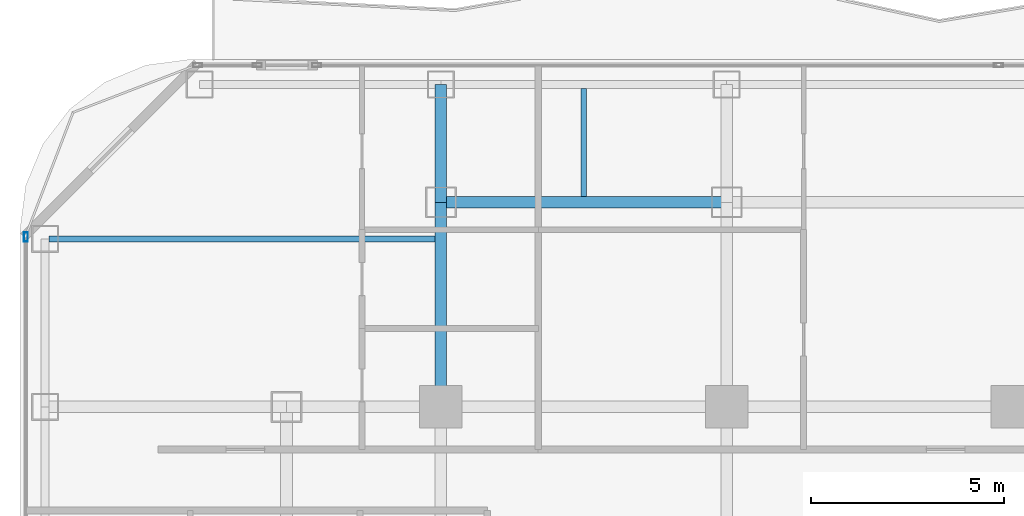
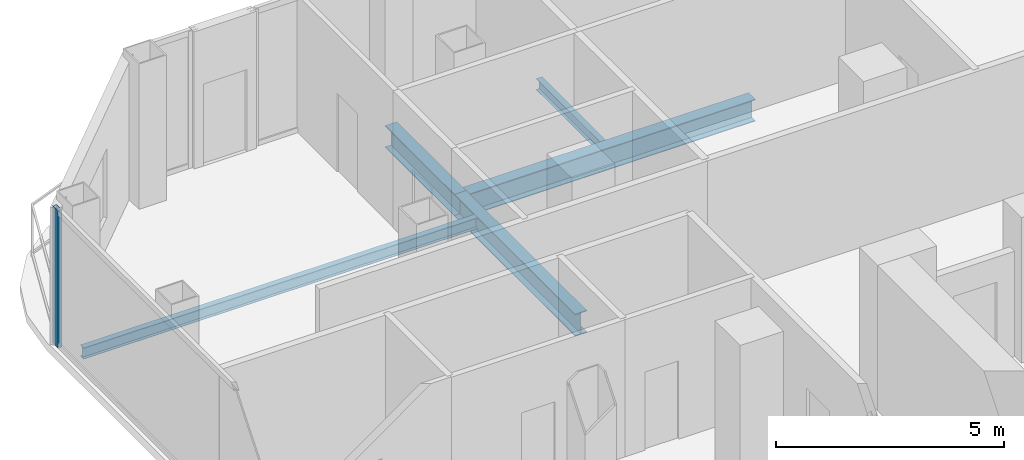
# One storey, part 11 of 27: 5 beams, 1 member, 1 element without a shape of its own.
"""IFC4 building model written with IfcOpenShell, lengths in metres."""

import ifcopenshell
import ifcopenshell.guid

model = None  # the IFC model being written
_history = None  # IfcOwnerHistory: only IFC2X3 demands one
_inside = {}  # id of a spatial element -> (the spatial element, [elements in it])
_under = {}  # id of a project, library or spatial element -> (it, [spatial elements below it])
_declared = {}  # id of a project -> (the project, [libraries it declares])
_typed = {}  # id of a type object -> (the type object, [elements of that type])
_made_of = {}  # id of a material, layer set ... -> (it, [elements and type objects made of it])


def new_model(schema):
    """Start an empty IFC model of exactly this schema.

    Asked for "IFC4X3", IfcOpenShell would pick the latest addendum, in which some entities
    have other attributes; the version numbers below select the first issue.
    IFC2X3 requires an IfcOwnerHistory on every rooted entity: one is made here for all.
    """
    global model, _history
    if schema == "IFC4X3":
        model = ifcopenshell.file(schema_version=(4, 3, 0, 0))
    else:
        model = ifcopenshell.file(schema=schema)
    _inside.clear()
    _under.clear()
    _declared.clear()
    _typed.clear()
    _made_of.clear()
    _history = None
    if model.schema == "IFC2X3":
        org = make("IfcOrganization", Name="unknown")
        user = make(
            "IfcPersonAndOrganization",
            ThePerson=make("IfcPerson", FamilyName="unknown"),
            TheOrganization=org,
        )
        app = make(
            "IfcApplication",
            ApplicationDeveloper=org,
            Version="unknown",
            ApplicationFullName="unknown",
            ApplicationIdentifier="unknown",
        )
        _history = make(
            "IfcOwnerHistory",
            OwningUser=user,
            OwningApplication=app,
            ChangeAction="ADDED",
            CreationDate=0,
        )
    return model


def make(cls, **values):
    """One entity of the class cls with the attributes given. An attribute that is None is left unset."""
    return model.create_entity(
        cls, **{name: value for name, value in values.items() if value is not None}
    )


def rooted(cls, **values):
    """An entity with a GlobalId (a new one), such as an element, a storey or a relation."""
    return make(cls, GlobalId=ifcopenshell.guid.new(), OwnerHistory=_history, **values)


def si_unit(unit_type, name, prefix=None):
    """IfcSIUnit, for example si_unit("LENGTHUNIT", "METRE", prefix="MILLI")."""
    return make("IfcSIUnit", UnitType=unit_type, Prefix=prefix, Name=name)


def assignment(units):
    """IfcUnitAssignment: the units of a project."""
    return None if units is None else make("IfcUnitAssignment", Units=units)


def point(xyz):
    """IfcCartesianPoint."""
    return None if xyz is None else make("IfcCartesianPoint", Coordinates=xyz)


def direction(xyz):
    """IfcDirection."""
    return None if xyz is None else make("IfcDirection", DirectionRatios=xyz)


def frame(location, z_axis=None, x_axis=None):
    """IfcAxis2Placement3D, a coordinate frame: its origin and axes. An axis left out is left unset."""
    return make(
        "IfcAxis2Placement3D",
        Location=point(location),
        Axis=direction(z_axis),
        RefDirection=direction(x_axis),
    )


def frame_2d(location, x_axis=None):
    """IfcAxis2Placement2D, a coordinate frame in the plane: its origin and x axis."""
    return make(
        "IfcAxis2Placement2D", Location=point(location), RefDirection=direction(x_axis)
    )


def origin():
    """The frame at (0, 0, 0) with its axes left unset."""
    return frame((0.0, 0.0, 0.0))


def origin_2d():
    """The frame at (0, 0) in the plane with its x axis left unset."""
    return frame_2d((0.0, 0.0))


def place(relative_to, where):
    """IfcLocalPlacement: puts the frame where relative to a parent placement (None: the world)."""
    return make(
        "IfcLocalPlacement", PlacementRelTo=relative_to, RelativePlacement=where
    )


def context(
    kind, dimensions, precision=None, world=None, true_north=None, identifier=None
):
    """IfcGeometricRepresentationContext, for example the 3D "Model" context."""
    return make(
        "IfcGeometricRepresentationContext",
        ContextIdentifier=identifier,
        ContextType=kind,
        CoordinateSpaceDimension=dimensions,
        Precision=precision,
        WorldCoordinateSystem=world,
        TrueNorth=true_north,
    )


def subcontext(parent, identifier, kind, view, scale=None):
    """IfcGeometricRepresentationSubContext, for example "Body" below "Model"."""
    return make(
        "IfcGeometricRepresentationSubContext",
        ContextIdentifier=identifier,
        ContextType=kind,
        ParentContext=parent,
        TargetScale=scale,
        TargetView=view,
    )


def project(units=None, contexts=None):
    """IfcProject with its units and contexts."""
    return rooted(
        "IfcProject",
        Name="project",
        RepresentationContexts=contexts,
        UnitsInContext=assignment(units),
    )


def spatial(cls, under=None, at=None, **own):
    """A site, building, storey or space (cls), placed at a placement, below another one or the project."""
    s = rooted(cls, ObjectPlacement=at, **own)
    if under is not None:
        _under.setdefault(under.id(), (under, []))[1].append(s)
    return s


def profile(cls, at=None, kind="AREA", **sizes):
    """A parametric profile (cls). Its sizes go by their IFC names, for example OverallWidth=200.0."""
    return make(cls, ProfileType=kind, Position=at, **sizes)


def hollow_rectangle(**sizes):
    """IfcRectangleHollowProfileDef."""
    return profile("IfcRectangleHollowProfileDef", **sizes)


def i_section(**sizes):
    """IfcIShapeProfileDef."""
    return profile("IfcIShapeProfileDef", **sizes)


def extrude(swept, where, along, depth):
    """IfcExtrudedAreaSolid: the profile swept, set in the frame where, extruded along a direction by depth."""
    return make(
        "IfcExtrudedAreaSolid",
        SweptArea=swept,
        Position=where,
        ExtrudedDirection=direction(along),
        Depth=depth,
    )


def shape(context_of_items, identifier, shape_type, items):
    """IfcShapeRepresentation: the items that make up one representation, for example the "Body"."""
    return make(
        "IfcShapeRepresentation",
        ContextOfItems=context_of_items,
        RepresentationIdentifier=identifier,
        RepresentationType=shape_type,
        Items=items,
    )


def material(Name=None, Category=None):
    """IfcMaterial."""
    return make("IfcMaterial", Name=Name, Category=Category)


def layer(
    of_material, thickness, ventilated=None, Name=None, Category=None, Priority=None
):
    """IfcMaterialLayer: one layer of a wall or slab, of a material (None: an air gap)."""
    return make(
        "IfcMaterialLayer",
        Material=of_material,
        LayerThickness=thickness,
        IsVentilated=ventilated,
        Name=Name,
        Category=Category,
        Priority=Priority,
    )


def layer_set(layers, Name=None):
    """IfcMaterialLayerSet."""
    return make("IfcMaterialLayerSet", MaterialLayers=layers, LayerSetName=Name)


def material_profile(
    of_material, cross_section, Name=None, Category=None, Priority=None
):
    """IfcMaterialProfile: a cross section and its material."""
    return make(
        "IfcMaterialProfile",
        Name=Name,
        Material=of_material,
        Profile=cross_section,
        Priority=Priority,
        Category=Category,
    )


def profile_set(profiles, Name=None, composite=None):
    """IfcMaterialProfileSet."""
    return make(
        "IfcMaterialProfileSet",
        Name=Name,
        MaterialProfiles=profiles,
        CompositeProfile=composite,
    )


def made_of(thing, what):
    """Note that an element or type object is made of a material, layer set ...; save() writes the relation."""
    if what is not None:
        _made_of.setdefault(what.id(), (what, []))[1].append(thing)
    return thing


def type_object(cls, material=None, **own):
    """A type object (cls), such as IfcWallType, which elements share."""
    return made_of(rooted(cls, **own), material)


def element(
    cls,
    number,
    at=None,
    inside=None,
    cuts=None,
    type_object=None,
    material=None,
    context=None,
    identifier="Body",
    shape_type=None,
    held_by="IfcProductDefinitionShape",
    body=None,
    shapes=None,
    **own,
):
    """One element of the class cls, such as IfcWall. Its Tag is "e" and its number.

    at: its placement. inside: the storey or other place that contains it. cuts: it is an
    opening in that element (IfcRelVoidsElement). A single representation is given by context,
    identifier, shape_type and body (its items); several are given by shapes. held_by: the class
    of the entity that holds the representations. save() writes the other relations.
    """
    e = rooted(cls, Tag="e%d" % number, ObjectPlacement=at, **own)
    if body is not None:
        shapes = [shape(context, identifier, shape_type, body)]
    if shapes is not None:
        e.Representation = make(held_by, Representations=shapes)
    if inside is not None:
        _inside.setdefault(inside.id(), (inside, []))[1].append(e)
    if cuts is not None:
        rooted(
            "IfcRelVoidsElement", RelatingBuildingElement=cuts, RelatedOpeningElement=e
        )
    if type_object is not None:
        _typed.setdefault(type_object.id(), (type_object, []))[1].append(e)
    return made_of(e, material)


def aggregate(whole, parts):
    """IfcRelAggregates: a whole, such as a stair, and the parts it consists of."""
    return rooted("IfcRelAggregates", RelatingObject=whole, RelatedObjects=parts)


def save(model, path):
    """Write the relations noted so far, then the file.

    IfcRelAggregates (storeys below a building ...), IfcRelContainedInSpatialStructure (elements
    in a storey), IfcRelDefinesByType, IfcRelAssociatesMaterial and IfcRelDeclares: one each for
    every whole, place, type object, material and project.
    """
    for whole, parts in _under.values():
        aggregate(whole, parts)
    for where, things in _inside.values():
        rooted(
            "IfcRelContainedInSpatialStructure",
            RelatedElements=things,
            RelatingStructure=where,
        )
    for kind, things in _typed.values():
        rooted("IfcRelDefinesByType", RelatedObjects=things, RelatingType=kind)
    for what, things in _made_of.values():
        rooted("IfcRelAssociatesMaterial", RelatedObjects=things, RelatingMaterial=what)
    for by, libraries in _declared.values():
        rooted("IfcRelDeclares", RelatingContext=by, RelatedDefinitions=libraries)
    model.write(path)


model = new_model("IFC4")

# Units and contexts
model_context = context("Model", 3, precision=1e-05, world=origin(), true_north=direction((0.0, 1.0)))
body_context = subcontext(model_context, "Body", "Model", "MODEL_VIEW")
ifc_project = project(units=[si_unit("LENGTHUNIT", "METRE"), si_unit("AREAUNIT", "SQUARE_METRE"), si_unit("VOLUMEUNIT", "CUBIC_METRE"), si_unit("PLANEANGLEUNIT", "RADIAN"), si_unit("MASSUNIT", "GRAM", prefix="KILO")], contexts=[model_context])

# Site, building, storey
site_placement = place(None, origin())
site = spatial("IfcSite", under=ifc_project, at=site_placement, CompositionType="ELEMENT")
building_placement = place(site_placement, origin())
building = spatial("IfcBuilding", under=site, at=building_placement, Name="Khorvyn Point Tower", CompositionType="ELEMENT")
storey_placement = place(building_placement, frame((0.0, 0.0, 179.699951171875)))
storey = spatial("IfcBuildingStorey", under=building, at=storey_placement, Name="L44", CompositionType="ELEMENT", Elevation=179.699951171875)

# Curtain wall, member
ifc_material_1 = material(Name="Anodised aluminium 6063-T6 and laminated Low-E glass", Category="aluminium")
ifc_layer = layer(ifc_material_1, 0.18994140625)
ifc_layer_set = layer_set([ifc_layer], Name="Stick-Built Acoustic Curtain Wall CW-SYS-03")
curtain_wall_type = type_object("IfcCurtainWallType", Name="Stick-Built Acoustic Curtain Wall CW-SYS-03", PredefinedType="NOTDEFINED", material=ifc_layer_set)
curtain_wall_placement = place(storey_placement, origin())
curtain_wall = element("IfcCurtainWall", 1, at=curtain_wall_placement, inside=storey, type_object=curtain_wall_type, Name="Curtain Wall", PredefinedType="NOTDEFINED")
ifc_material_2 = material(Name="Anodised aluminium 6063-T6", Category="aluminium")
ifc_material_profile_1 = material_profile(ifc_material_2, hollow_rectangle(XDim=0.10009765625, YDim=0.239990234375, WallThickness=0.0048828125, at=origin_2d()))
ifc_profile_set_1 = profile_set([ifc_material_profile_1], Name="Anodised aluminium 6063-T6 ALU-MUL-100x240")
member_type = type_object("IfcMemberType", Name="Anodised Aluminium 6063-T6 Mullion ALU-MUL-100x240", PredefinedType="MULLION", material=ifc_profile_set_1)
member_placement = place(storey_placement, frame((-25.550048828125, 19.199951171875, 0.0), z_axis=(0.0, 0.0, 1.0), x_axis=(-1.0, 0.0, 0.0)))
member = element("IfcMember", 2, at=member_placement, type_object=member_type, Name="Transom", PredefinedType="MULLION", context=body_context, shape_type="SweptSolid", body=[
    extrude(hollow_rectangle(XDim=0.10009765625, YDim=0.239990234375, WallThickness=0.0048828125, at=origin_2d()), origin(), (0.0, 0.0, 1.0), 3.679931640625),
])
aggregate(curtain_wall, [member])

# Beams
ifc_material_3 = material(Name="Steel S355", Category="steel")
ifc_material_profile_2 = material_profile(ifc_material_3, i_section(OverallWidth=0.300048828125, OverallDepth=0.587890625, WebThickness=0.011962890625, FlangeThickness=0.02001953125, at=origin_2d()))
ifc_profile_set_2 = profile_set([ifc_material_profile_2], Name="Steel S355 H588x300x12x20")
beam_type_1 = type_object("IfcBeamType", Name="Steel S355 Beam H588x300x12x20", PredefinedType="BEAM", material=ifc_profile_set_2)
beam_1_placement = place(storey_placement, frame((-14.800048828125, 20.10009765625, -0.513916015625), z_axis=(1.0, 0.0, 0.0), x_axis=(0.0, 1.0, 0.0)))
element("IfcBeam", 3, at=beam_1_placement, inside=storey, type_object=beam_type_1, Name="Beam", PredefinedType="BEAM", context=body_context, shape_type="SweptSolid", body=[
    extrude(i_section(OverallWidth=0.300048828125, OverallDepth=0.587890625, WebThickness=0.011962890625, FlangeThickness=0.02001953125, at=origin_2d()), origin(), (0.0, 0.0, 1.0), 7.400146484375),
])
beam_2_placement = place(storey_placement, frame((-14.800048828125, 14.800048828125, -0.513916015625), z_axis=(0.0, 1.0, 0.0), x_axis=(-1.0, 0.0, 0.0)))
element("IfcBeam", 4, at=beam_2_placement, inside=storey, type_object=beam_type_1, Name="Beam", PredefinedType="BEAM", context=body_context, shape_type="SweptSolid", body=[
    extrude(i_section(OverallWidth=0.300048828125, OverallDepth=0.587890625, WebThickness=0.011962890625, FlangeThickness=0.02001953125, at=origin_2d()), origin(), (0.0, 0.0, 1.0), 5.300048828125),
])
beam_3_placement = place(storey_placement, frame((-14.800048828125, 20.10009765625, -0.513916015625), z_axis=(0.0, 1.0, 0.0), x_axis=(-1.0, 0.0, 0.0)))
element("IfcBeam", 5, at=beam_3_placement, inside=storey, type_object=beam_type_1, Name="Beam", PredefinedType="BEAM", context=body_context, shape_type="SweptSolid", body=[
    extrude(i_section(OverallWidth=0.300048828125, OverallDepth=0.587890625, WebThickness=0.011962890625, FlangeThickness=0.02001953125, at=origin_2d()), origin(), (0.0, 0.0, 1.0), 3.0498046875),
])
ifc_material_profile_3 = material_profile(ifc_material_3, i_section(OverallWidth=0.14990234375, OverallDepth=0.300048828125, WebThickness=0.006591796875, FlangeThickness=0.009033203125, at=origin_2d()))
ifc_profile_set_3 = profile_set([ifc_material_profile_3], Name="Steel S355 H300x150x6.5x9")
beam_type_2 = type_object("IfcBeamType", Name="Steel S355 Joist H300x150x6.5x9", PredefinedType="JOIST", material=ifc_profile_set_3)
beam_4_placement = place(storey_placement, frame((-11.10009765625, 20.25, -0.369873046875), z_axis=(0.0, 1.0, 0.0), x_axis=(-1.0, 0.0, 0.0)))
element("IfcBeam", 6, at=beam_4_placement, inside=storey, type_object=beam_type_2, Name="Beam", PredefinedType="JOIST", context=body_context, shape_type="SweptSolid", body=[
    extrude(i_section(OverallWidth=0.14990234375, OverallDepth=0.300048828125, WebThickness=0.006591796875, FlangeThickness=0.009033203125, at=origin_2d()), origin(), (0.0, 0.0, 1.0), 2.800048828125),
])
beam_5_placement = place(storey_placement, frame((-24.949951171875, 19.14990234375, -0.369873046875), z_axis=(1.0, 0.0, 0.0), x_axis=(0.0, 1.0, 0.0)))
element("IfcBeam", 7, at=beam_5_placement, inside=storey, type_object=beam_type_2, Name="Beam", PredefinedType="JOIST", context=body_context, shape_type="SweptSolid", body=[
    extrude(i_section(OverallWidth=0.14990234375, OverallDepth=0.300048828125, WebThickness=0.006591796875, FlangeThickness=0.009033203125, at=origin_2d()), origin(), (0.0, 0.0, 1.0), 10.0),
])

save(model, "model.ifc")
